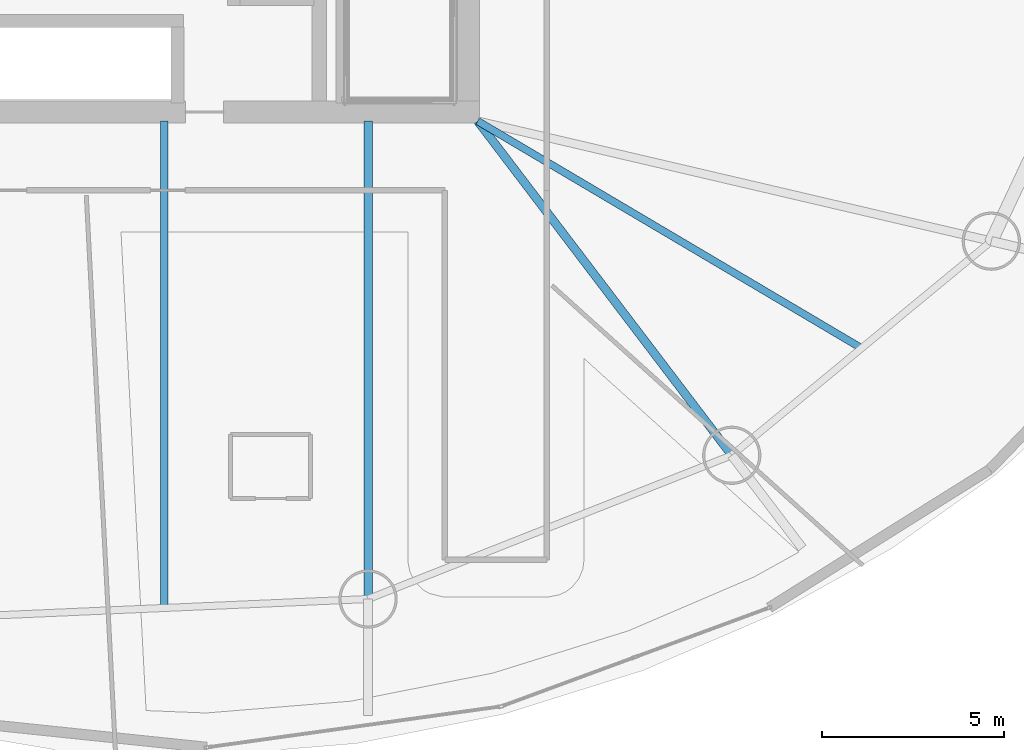
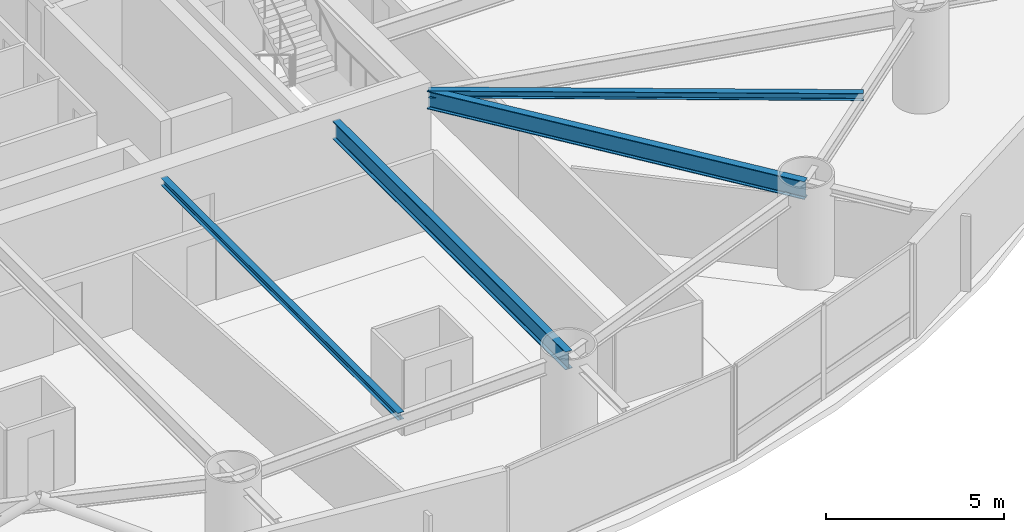
# One storey, part 10 of 30: 4 beams.
"""IFC4 building model written with IfcOpenShell, lengths in metres."""

from ifc_helpers import new_model, si_unit, direction, frame, origin, origin_2d, place, context, subcontext, project, spatial, i_section, extrude, material, material_profile, profile_set, type_object, element, save


model = new_model("IFC4")

# Units and contexts
model_context = context("Model", 3, precision=1e-05, world=origin(), true_north=direction((0.0, 1.0)))
body_context = subcontext(model_context, "Body", "Model", "MODEL_VIEW")
ifc_project = project(units=[si_unit("LENGTHUNIT", "METRE"), si_unit("AREAUNIT", "SQUARE_METRE"), si_unit("VOLUMEUNIT", "CUBIC_METRE"), si_unit("PLANEANGLEUNIT", "RADIAN"), si_unit("MASSUNIT", "GRAM", prefix="KILO")], contexts=[model_context])

# Site, building, storey
site_placement = place(None, origin())
site = spatial("IfcSite", under=ifc_project, at=site_placement, CompositionType="ELEMENT")
building_placement = place(site_placement, origin())
building = spatial("IfcBuilding", under=site, at=building_placement, Name="Bramvorn Convention Spire", CompositionType="ELEMENT")
storey_placement = place(building_placement, frame((0.0, 0.0, 86.89990234375)))
storey = spatial("IfcBuildingStorey", under=building, at=storey_placement, Name="L20", CompositionType="ELEMENT", Elevation=86.89990234375)

# Beams
ifc_material = material(Name="Steel CSA G40.21 Grade 350 (350W)", Category="steel")
ifc_material_profile_1 = material_profile(ifc_material, i_section(OverallWidth=0.201904296875, OverallDepth=0.2470703125, WebThickness=0.00732421875, FlangeThickness=0.010986328125, FilletRadius=0.011962890625, at=origin_2d()))
ifc_profile_set_1 = profile_set([ifc_material_profile_1], Name="Steel CSA G40.21 Grade 350 (350W) - W250X49")
beam_type_1 = type_object("IfcBeamType", Name="BM-W250X49", PredefinedType="JOIST", material=ifc_profile_set_1)
beam_1_placement = place(storey_placement, frame((40.638427734375, 18.550048828125, 3.126708984375), z_axis=(0.0, -1.0, 0.0), x_axis=(1.0, 0.0, 0.0)))
element("IfcBeam", 1, at=beam_1_placement, inside=storey, type_object=beam_type_1, Name="L20 composite floor joist 13", PredefinedType="JOIST", context=body_context, shape_type="SweptSolid", body=[
    extrude(i_section(OverallWidth=0.201904296875, OverallDepth=0.2470703125, WebThickness=0.00732421875, FlangeThickness=0.010986328125, FilletRadius=0.011962890625, at=origin_2d()), origin(), (0.0, 0.0, 1.0), 13.372802734375),
])
beam_2_placement = place(storey_placement, frame((49.25, 18.550048828125, 3.126708984375), z_axis=(0.860664556648, -0.509172388223, 0.0), x_axis=(0.509172388223, 0.860664556648, 0.0)))
element("IfcBeam", 2, at=beam_2_placement, inside=storey, type_object=beam_type_1, Name="L20 composite floor joist 15", PredefinedType="JOIST", context=body_context, shape_type="SweptSolid", body=[
    extrude(i_section(OverallWidth=0.201904296875, OverallDepth=0.2470703125, WebThickness=0.00732421875, FlangeThickness=0.010986328125, FilletRadius=0.011962890625, at=origin_2d()), origin(), (0.0, 0.0, 1.0), 12.25048828125),
])
ifc_material_profile_2 = material_profile(ifc_material, i_section(OverallWidth=0.22998046875, OverallDepth=0.616943359375, WebThickness=0.01318359375, FlangeThickness=0.022216796875, FilletRadius=0.02001953125, at=origin_2d()))
ifc_profile_set_2 = profile_set([ifc_material_profile_2], Name="Steel CSA G40.21 Grade 350 (350W) - W610X140")
beam_type_2 = type_object("IfcBeamType", Name="BM-W610X140", PredefinedType="BEAM", material=ifc_profile_set_2)
beam_3_placement = place(storey_placement, frame((46.23779296875, 18.550048828125, 2.941650390625), z_axis=(0.0, -1.0, 0.0), x_axis=(1.0, 0.0, 0.0)))
element("IfcBeam", 3, at=beam_3_placement, inside=storey, type_object=beam_type_2, Name="L20 radial floor girder MC14", PredefinedType="BEAM", context=body_context, shape_type="SweptSolid", body=[
    extrude(i_section(OverallWidth=0.22998046875, OverallDepth=0.616943359375, WebThickness=0.01318359375, FlangeThickness=0.022216796875, FilletRadius=0.02001953125, at=origin_2d()), origin(), (0.0, 0.0, 1.0), 13.126708984375),
])
beam_4_placement = place(storey_placement, frame((49.25, 18.550048828125, 2.941650390625), z_axis=(0.605191175112, -0.796080172826, 0.0), x_axis=(0.796080172826, 0.605191175112, 0.0)))
element("IfcBeam", 4, at=beam_4_placement, inside=storey, type_object=beam_type_2, Name="L20 radial floor girder MC15", PredefinedType="BEAM", context=body_context, shape_type="SweptSolid", body=[
    extrude(i_section(OverallWidth=0.22998046875, OverallDepth=0.616943359375, WebThickness=0.01318359375, FlangeThickness=0.022216796875, FilletRadius=0.02001953125, at=origin_2d()), origin(), (0.0, 0.0, 1.0), 11.52978515625),
])

save(model, "model.ifc")
